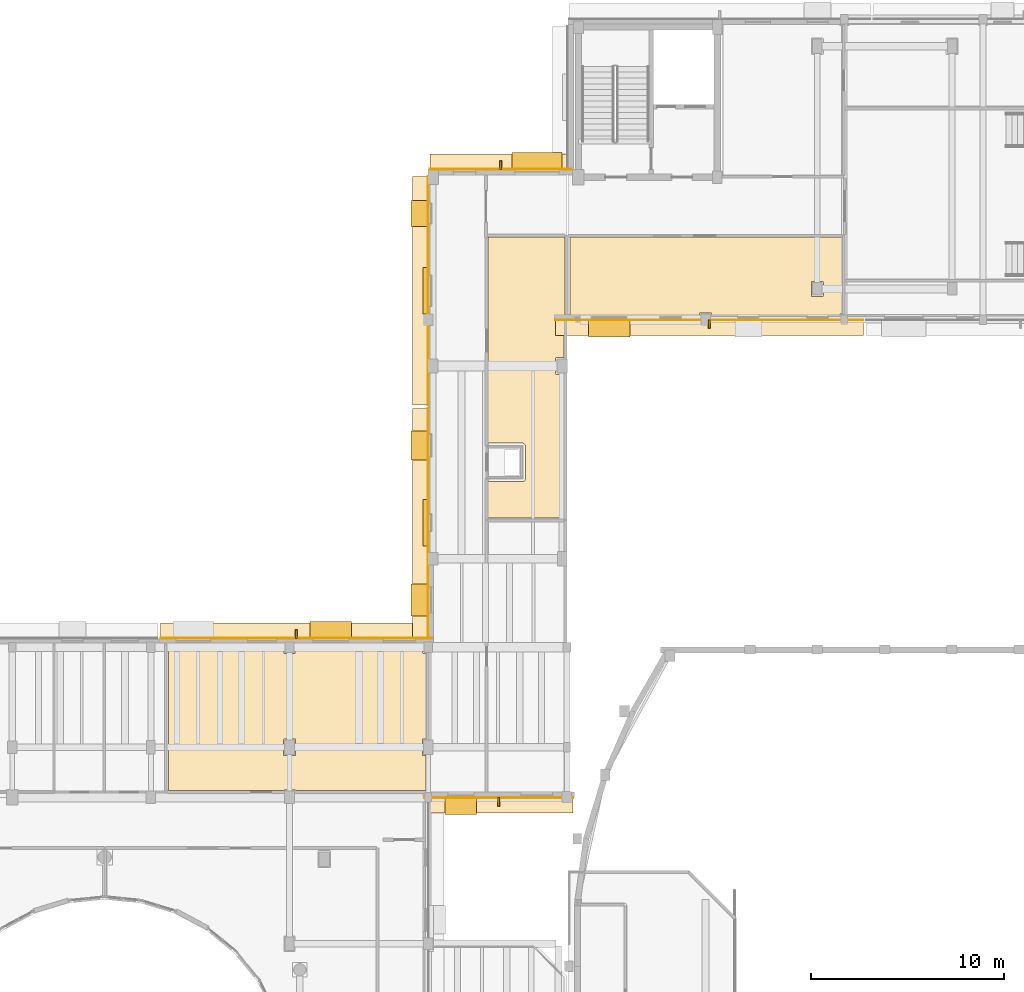
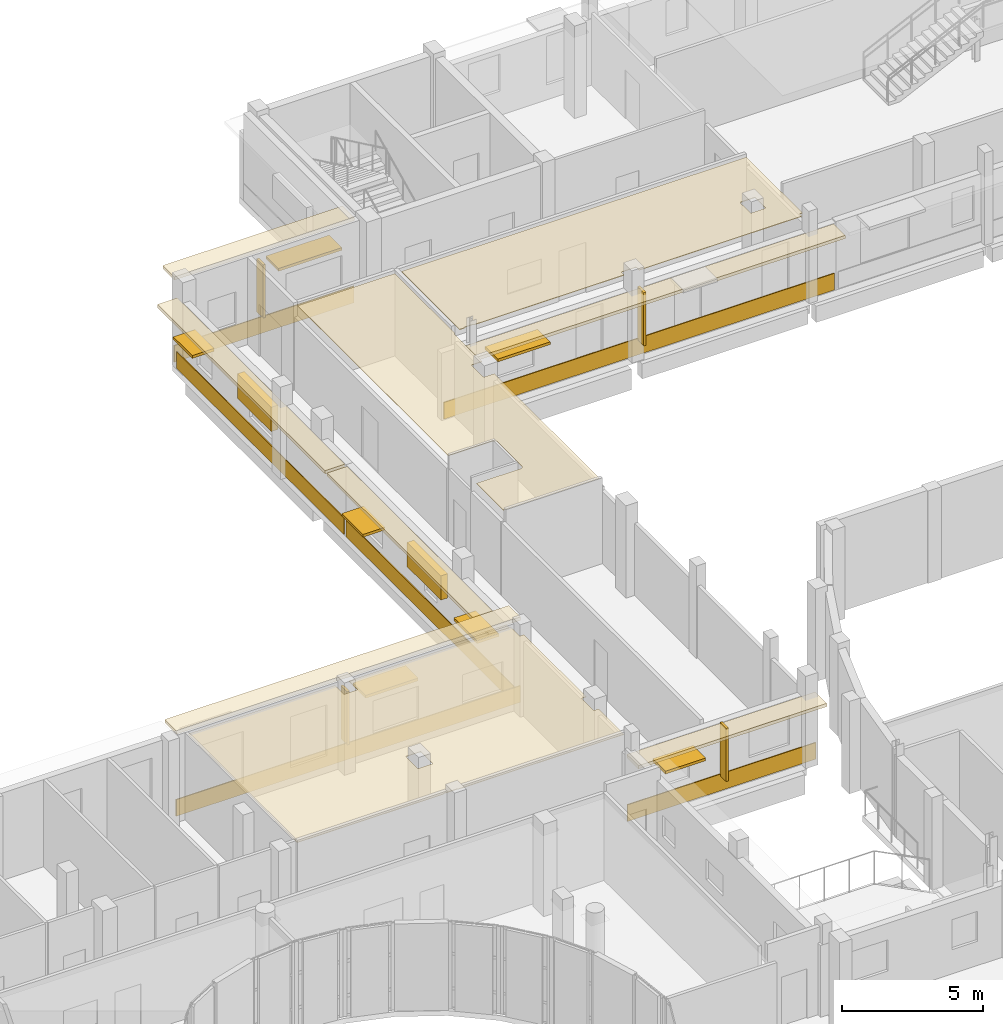
# One storey, part 88 of 92: 15 coverings, 13 shading devices.
"""IFC4 building model written with IfcOpenShell, lengths in metres."""

from ifc_helpers import new_model, si_unit, direction, frame, origin, origin_2d, place, context, subcontext, project, spatial, polyline, rectangle, outline, extrude, material, layer, layer_set, type_object, element, save


model = new_model("IFC4")

# Units and contexts
model_context = context("Model", 3, precision=1e-05, world=origin(), true_north=direction((0.0, 1.0)))
body_context = subcontext(model_context, "Body", "Model", "MODEL_VIEW")
ifc_project = project(units=[si_unit("LENGTHUNIT", "METRE"), si_unit("AREAUNIT", "SQUARE_METRE"), si_unit("VOLUMEUNIT", "CUBIC_METRE"), si_unit("PLANEANGLEUNIT", "RADIAN"), si_unit("MASSUNIT", "GRAM", prefix="KILO")], contexts=[model_context])

# Site, building, storey
site_placement = place(None, origin())
site = spatial("IfcSite", under=ifc_project, at=site_placement, CompositionType="ELEMENT")
building_placement = place(site_placement, origin())
building = spatial("IfcBuilding", under=site, at=building_placement, Name="Kelanivale Promenade Academy", CompositionType="ELEMENT")
storey_placement = place(building_placement, frame((0.0, 0.0, 8.199951171875)))
storey = spatial("IfcBuildingStorey", under=building, at=storey_placement, Name="L02", CompositionType="ELEMENT", Elevation=8.199951171875)

# Coverings
ifc_material_1 = material(Name="Warm ivory Art Deco stucco frieze band 40 mm", Category="masonry")
ifc_layer_1 = layer(ifc_material_1, 0.0400390625)
ifc_layer_set_1 = layer_set([ifc_layer_1], Name="Warm ivory Art Deco stucco frieze band 40 mm")
covering_type_1 = type_object("IfcCoveringType", Name="COV-CLD2 Warm ivory Art Deco stucco frieze ba", PredefinedType="CLADDING", material=ifc_layer_set_1)
covering_1_placement = place(storey_placement, frame((119.260009765625, 71.199951171875, 2.80517578125), z_axis=(0.0, 0.0, 1.0), x_axis=(1.0, 0.0, 0.0)))
element("IfcCovering", 1, at=covering_1_placement, inside=storey, type_object=covering_type_1, Name="Art Deco projecting 820 mm streamline sunshade eyebrow ledge", PredefinedType="CLADDING", context=body_context, shape_type="SweptSolid", body=[
    extrude(rectangle(XDim=7.719970703125, YDim=0.820068359375, at=origin_2d()), origin(), (0.0, 0.0, 1.0), 0.139892578125),
])
covering_2_placement = place(storey_placement, frame((119.260009765625, 71.5849609375, 0.06005859375), z_axis=(0.0, 0.0, 1.0), x_axis=(1.0, 0.0, 0.0)))
element("IfcCovering", 2, at=covering_2_placement, inside=storey, type_object=covering_type_1, Name="Art Deco ivory stucco sill frieze band", PredefinedType="CLADDING", context=body_context, shape_type="SweptSolid", body=[
    extrude(rectangle(XDim=7.719970703125, YDim=0.0400390625, at=origin_2d()), origin(), (0.0, 0.0, 1.0), 0.719970703125),
])
covering_3_placement = place(storey_placement, frame((130.197998046875, 96.0, 2.7548828125), z_axis=(0.0, 0.0, 1.0), x_axis=(1.0, 0.0, 0.0)))
element("IfcCovering", 3, at=covering_3_placement, inside=storey, type_object=covering_type_1, Name="Art Deco projecting 820 mm streamline sunshade eyebrow ledge", PredefinedType="CLADDING", context=body_context, shape_type="SweptSolid", body=[
    extrude(rectangle(XDim=15.99609375, YDim=0.820068359375, at=origin_2d()), origin(), (0.0, 0.0, 1.0), 0.139892578125),
])
covering_4_placement = place(storey_placement, frame((130.197998046875, 96.385009765625, 0.06005859375), z_axis=(0.0, 0.0, 1.0), x_axis=(1.0, 0.0, 0.0)))
element("IfcCovering", 4, at=covering_4_placement, inside=storey, type_object=covering_type_1, Name="Art Deco ivory stucco sill frieze band", PredefinedType="CLADDING", context=body_context, shape_type="SweptSolid", body=[
    extrude(rectangle(XDim=15.99609375, YDim=0.0400390625, at=origin_2d()), origin(), (0.0, 0.0, 1.0), 0.719970703125),
])
covering_5_placement = place(storey_placement, frame((119.364990234375, 104.60009765625, 3.6201171875), z_axis=(0.0, 0.0, 1.0), x_axis=(-1.0, 0.0, 0.0)))
element("IfcCovering", 5, at=covering_5_placement, inside=storey, type_object=covering_type_1, Name="Art Deco projecting 820 mm streamline sunshade eyebrow ledge", PredefinedType="CLADDING", context=body_context, shape_type="SweptSolid", body=[
    extrude(rectangle(XDim=7.3701171875, YDim=0.820068359375, at=origin_2d()), origin(), (0.0, 0.0, 1.0), 0.139892578125),
])
covering_6_placement = place(storey_placement, frame((119.364990234375, 104.215087890625, 0.06005859375), z_axis=(0.0, 0.0, 1.0), x_axis=(-1.0, 0.0, 0.0)))
element("IfcCovering", 6, at=covering_6_placement, inside=storey, type_object=covering_type_1, Name="Art Deco ivory stucco sill frieze band", PredefinedType="CLADDING", context=body_context, shape_type="SweptSolid", body=[
    extrude(rectangle(XDim=7.3701171875, YDim=0.0400390625, at=origin_2d()), origin(), (0.0, 0.0, 1.0), 0.719970703125),
])
covering_7_placement = place(storey_placement, frame((115.199951171875, 97.903076171875, 2.955078125), z_axis=(0.0, 0.0, 1.0), x_axis=(0.0, -1.0, 0.0)))
element("IfcCovering", 7, at=covering_7_placement, inside=storey, type_object=covering_type_1, Name="Art Deco projecting 820 mm streamline sunshade eyebrow ledge", PredefinedType="CLADDING", context=body_context, shape_type="SweptSolid", body=[
    extrude(rectangle(XDim=11.875, YDim=0.820068359375, at=origin_2d()), origin(), (0.0, 0.0, 1.0), 0.139892578125),
])
covering_8_placement = place(storey_placement, frame((115.5849609375, 97.903076171875, 0.06005859375), z_axis=(0.0, 0.0, 1.0), x_axis=(0.0, -1.0, 0.0)))
element("IfcCovering", 8, at=covering_8_placement, inside=storey, type_object=covering_type_1, Name="Art Deco ivory stucco sill frieze band", PredefinedType="CLADDING", context=body_context, shape_type="SweptSolid", body=[
    extrude(rectangle(XDim=11.875, YDim=0.0400390625, at=origin_2d()), origin(), (0.0, 0.0, 1.0), 0.719970703125),
])
covering_9_placement = place(storey_placement, frame((115.199951171875, 85.867919921875, 2.955078125), z_axis=(0.0, 0.0, 1.0), x_axis=(0.0, -1.0, 0.0)))
element("IfcCovering", 9, at=covering_9_placement, inside=storey, type_object=covering_type_1, Name="Art Deco projecting 820 mm streamline sunshade eyebrow ledge", PredefinedType="CLADDING", context=body_context, shape_type="SweptSolid", body=[
    extrude(rectangle(XDim=11.875, YDim=0.820068359375, at=origin_2d()), origin(), (0.0, 0.0, 1.0), 0.139892578125),
])
covering_10_placement = place(storey_placement, frame((115.5849609375, 85.867919921875, 0.06005859375), z_axis=(0.0, 0.0, 1.0), x_axis=(0.0, -1.0, 0.0)))
element("IfcCovering", 10, at=covering_10_placement, inside=storey, type_object=covering_type_1, Name="Art Deco ivory stucco sill frieze band", PredefinedType="CLADDING", context=body_context, shape_type="SweptSolid", body=[
    extrude(rectangle(XDim=11.875, YDim=0.0400390625, at=origin_2d()), origin(), (0.0, 0.0, 1.0), 0.719970703125),
])
covering_11_placement = place(storey_placement, frame((108.7509765625, 80.25, 3.6201171875), z_axis=(0.0, 0.0, 1.0), x_axis=(-1.0, 0.0, 0.0)))
element("IfcCovering", 11, at=covering_11_placement, inside=storey, type_object=covering_type_1, Name="Art Deco projecting 820 mm streamline sunshade eyebrow ledge", PredefinedType="CLADDING", context=body_context, shape_type="SweptSolid", body=[
    extrude(rectangle(XDim=14.096923828125, YDim=0.820068359375, at=origin_2d()), origin(), (0.0, 0.0, 1.0), 0.139892578125),
])
covering_12_placement = place(storey_placement, frame((108.7509765625, 79.864990234375, 0.06005859375), z_axis=(0.0, 0.0, 1.0), x_axis=(-1.0, 0.0, 0.0)))
element("IfcCovering", 12, at=covering_12_placement, inside=storey, type_object=covering_type_1, Name="Art Deco ivory stucco sill frieze band", PredefinedType="CLADDING", context=body_context, shape_type="SweptSolid", body=[
    extrude(rectangle(XDim=14.096923828125, YDim=0.0400390625, at=origin_2d()), origin(), (0.0, 0.0, 1.0), 0.719970703125),
])
ifc_material_2 = material(Name="Acoustic mineral-fibre ceiling tile 25 mm", Category="gypsum")
ifc_layer_2 = layer(ifc_material_2, 0.02490234375)
ifc_layer_set_2 = layer_set([ifc_layer_2], Name="Acoustic mineral-fibre ceiling tile 25 mm")
covering_type_2 = type_object("IfcCoveringType", Name="COV-CLG1 Acoustic mineral-fibre ceiling tile ", PredefinedType="CEILING", material=ifc_layer_set_2)
covering_13_placement = place(storey_placement, frame((0.0, 0.0, 3.550048828125)))
element("IfcCovering", 13, at=covering_13_placement, inside=storey, type_object=covering_type_2, Name="Secondary Classroom North East acoustic suspended ceiling", PredefinedType="CEILING", context=body_context, shape_type="SweptSolid", body=[
    extrude(outline(polyline([(102.110107421875, 79.699951171875), (102.110107421875, 71.9599609375), (108.093017578125, 71.9599609375), (108.093017578125, 71.9599609375), (108.094970703125, 71.964111328125), (108.096923828125, 71.967041015625), (108.09912109375, 71.969970703125), (108.10205078125, 71.972900390625), (108.10498046875, 71.97607421875), (108.10791015625, 71.97802734375), (108.111083984375, 71.97998046875), (108.114990234375, 71.98193359375), (108.117919921875, 71.98291015625), (108.1220703125, 71.98388671875), (108.1259765625, 71.985107421875), (108.1298828125, 71.985107421875), (108.669921875, 71.985107421875), (108.674072265625, 71.985107421875), (108.677978515625, 71.98388671875), (108.681884765625, 71.98291015625), (108.68505859375, 71.98193359375), (108.68896484375, 71.97998046875), (108.69189453125, 71.97802734375), (108.695068359375, 71.97607421875), (108.697998046875, 71.972900390625), (108.700927734375, 71.969970703125), (108.702880859375, 71.967041015625), (108.705078125, 71.964111328125), (108.70703125, 71.9599609375), (108.70703125, 71.9599609375), (115.489990234375, 71.9599609375), (115.489990234375, 73.764892578125), (115.330078125, 73.764892578125), (115.325927734375, 73.764892578125), (115.322021484375, 73.76611328125), (115.318115234375, 73.76708984375), (115.31494140625, 73.76806640625), (115.31103515625, 73.77001953125), (115.30810546875, 73.77197265625), (115.304931640625, 73.77392578125), (115.302001953125, 73.777099609375), (115.299072265625, 73.780029296875), (115.297119140625, 73.782958984375), (115.294921875, 73.785888671875), (115.29296875, 73.7900390625), (115.2919921875, 73.79296875), (115.291015625, 73.797119140625), (115.2900390625, 73.801025390625), (115.2900390625, 73.804931640625), (115.2900390625, 74.594970703125), (115.2900390625, 74.59912109375), (115.291015625, 74.60302734375), (115.2919921875, 74.60693359375), (115.29296875, 74.610107421875), (115.294921875, 74.614013671875), (115.297119140625, 74.616943359375), (115.299072265625, 74.6201171875), (115.302001953125, 74.623046875), (115.304931640625, 74.6259765625), (115.30810546875, 74.6279296875), (115.31103515625, 74.6298828125), (115.31494140625, 74.632080078125), (115.318115234375, 74.633056640625), (115.322021484375, 74.634033203125), (115.325927734375, 74.635009765625), (115.330078125, 74.635009765625), (115.489990234375, 74.635009765625), (115.489990234375, 79.06494140625), (115.35498046875, 79.06494140625), (115.35107421875, 79.06494140625), (115.346923828125, 79.06591796875), (115.343017578125, 79.06689453125), (115.340087890625, 79.068115234375), (115.3359375, 79.070068359375), (115.3330078125, 79.072021484375), (115.330078125, 79.073974609375), (115.326904296875, 79.076904296875), (115.323974609375, 79.080078125), (115.322021484375, 79.0830078125), (115.320068359375, 79.0859375), (115.318115234375, 79.090087890625), (115.31689453125, 79.093017578125), (115.31591796875, 79.096923828125), (115.31494140625, 79.10107421875), (115.31494140625, 79.10498046875), (115.31494140625, 79.695068359375), (115.31494140625, 79.698974609375), (115.31494140625, 79.699951171875), (108.68505859375, 79.699951171875), (108.68505859375, 79.698974609375), (108.68505859375, 79.695068359375), (108.68505859375, 79.10498046875), (108.68505859375, 79.10107421875), (108.68408203125, 79.096923828125), (108.68310546875, 79.093017578125), (108.681884765625, 79.090087890625), (108.679931640625, 79.0859375), (108.677978515625, 79.0830078125), (108.676025390625, 79.080078125), (108.673095703125, 79.076904296875), (108.669921875, 79.073974609375), (108.6669921875, 79.072021484375), (108.6640625, 79.070068359375), (108.659912109375, 79.068115234375), (108.656982421875, 79.06689453125), (108.653076171875, 79.06591796875), (108.64892578125, 79.06494140625), (108.64501953125, 79.06494140625), (108.155029296875, 79.06494140625), (108.15087890625, 79.06494140625), (108.14697265625, 79.06591796875), (108.14306640625, 79.06689453125), (108.139892578125, 79.068115234375), (108.135986328125, 79.070068359375), (108.133056640625, 79.072021484375), (108.1298828125, 79.073974609375), (108.126953125, 79.076904296875), (108.1240234375, 79.080078125), (108.1220703125, 79.0830078125), (108.1201171875, 79.0859375), (108.117919921875, 79.090087890625), (108.116943359375, 79.093017578125), (108.115966796875, 79.096923828125), (108.114990234375, 79.10107421875), (108.114990234375, 79.10498046875), (108.114990234375, 79.695068359375), (108.114990234375, 79.698974609375), (108.114990234375, 79.699951171875), (102.110107421875, 79.699951171875)]), holes=[polyline([(108.7099609375, 73.804931640625), (108.7099609375, 73.801025390625), (108.708984375, 73.797119140625), (108.7080078125, 73.79296875), (108.70703125, 73.7900390625), (108.705078125, 73.785888671875), (108.702880859375, 73.782958984375), (108.700927734375, 73.780029296875), (108.697998046875, 73.777099609375), (108.695068359375, 73.77392578125), (108.69189453125, 73.77197265625), (108.68896484375, 73.77001953125), (108.68505859375, 73.76806640625), (108.681884765625, 73.76708984375), (108.677978515625, 73.76611328125), (108.674072265625, 73.764892578125), (108.669921875, 73.764892578125), (108.1298828125, 73.764892578125), (108.1259765625, 73.764892578125), (108.1220703125, 73.76611328125), (108.117919921875, 73.76708984375), (108.114990234375, 73.76806640625), (108.111083984375, 73.77001953125), (108.10791015625, 73.77197265625), (108.10498046875, 73.77392578125), (108.10205078125, 73.777099609375), (108.09912109375, 73.780029296875), (108.096923828125, 73.782958984375), (108.094970703125, 73.785888671875), (108.093017578125, 73.7900390625), (108.092041015625, 73.79296875), (108.091064453125, 73.797119140625), (108.090087890625, 73.801025390625), (108.090087890625, 73.804931640625), (108.090087890625, 74.594970703125), (108.090087890625, 74.59912109375), (108.091064453125, 74.60302734375), (108.092041015625, 74.60693359375), (108.093017578125, 74.610107421875), (108.094970703125, 74.614013671875), (108.096923828125, 74.616943359375), (108.09912109375, 74.6201171875), (108.10205078125, 74.623046875), (108.10498046875, 74.6259765625), (108.10791015625, 74.6279296875), (108.111083984375, 74.6298828125), (108.114990234375, 74.632080078125), (108.117919921875, 74.633056640625), (108.1220703125, 74.634033203125), (108.1259765625, 74.635009765625), (108.1298828125, 74.635009765625), (108.669921875, 74.635009765625), (108.674072265625, 74.635009765625), (108.677978515625, 74.634033203125), (108.681884765625, 74.633056640625), (108.68505859375, 74.632080078125), (108.68896484375, 74.6298828125), (108.69189453125, 74.6279296875), (108.695068359375, 74.6259765625), (108.697998046875, 74.623046875), (108.700927734375, 74.6201171875), (108.702880859375, 74.616943359375), (108.705078125, 74.614013671875), (108.70703125, 74.610107421875), (108.7080078125, 74.60693359375), (108.708984375, 74.60302734375), (108.7099609375, 74.59912109375), (108.7099609375, 74.594970703125), (108.7099609375, 73.804931640625)])]), origin(), (0.0, 0.0, 1.0), 0.02490234375),
])
covering_14_placement = place(storey_placement, frame((0.0, 0.0, 3.550048828125)))
element("IfcCovering", 14, at=covering_14_placement, inside=storey, type_object=covering_type_2, Name="Laboratory Instrument Studio acoustic suspended ceiling", PredefinedType="CEILING", context=body_context, shape_type="SweptSolid", body=[
    extrude(outline(polyline([(122.6640625, 96.423095703125), (122.666015625, 96.428955078125), (122.6708984375, 96.43994140625), (122.675048828125, 96.447998046875), (122.680908203125, 96.4580078125), (122.68701171875, 96.466064453125), (122.68994140625, 96.469970703125), (122.68994140625, 100.68994140625), (118.7099609375, 100.68994140625), (118.7099609375, 89.989990234375), (120.506103515625, 89.989990234375), (120.512939453125, 89.989990234375), (120.51904296875, 89.989013671875), (120.52490234375, 89.988037109375), (120.533935546875, 89.986083984375), (120.5419921875, 89.98291015625), (120.544921875, 89.98193359375), (120.548095703125, 89.98095703125), (120.552978515625, 89.97900390625), (120.55810546875, 89.97705078125), (120.56396484375, 89.97509765625), (120.569091796875, 89.971923828125), (120.573974609375, 89.968994140625), (120.5830078125, 89.9619140625), (120.587890625, 89.9580078125), (120.594970703125, 89.952880859375), (120.59912109375, 89.948974609375), (120.60302734375, 89.945068359375), (120.60791015625, 89.93798828125), (120.612060546875, 89.93310546875), (120.618896484375, 89.924072265625), (120.6220703125, 89.9189453125), (120.625, 89.9140625), (120.626953125, 89.907958984375), (120.62890625, 89.903076171875), (120.631103515625, 89.89794921875), (120.632080078125, 89.89501953125), (120.633056640625, 89.89208984375), (120.635986328125, 89.884033203125), (120.637939453125, 89.875), (120.638916015625, 89.868896484375), (120.639892578125, 89.863037109375), (120.639892578125, 89.85595703125), (120.639892578125, 88.14404296875), (120.639892578125, 88.136962890625), (120.638916015625, 88.131103515625), (120.637939453125, 88.125), (120.635986328125, 88.115966796875), (120.633056640625, 88.10791015625), (120.632080078125, 88.10498046875), (120.631103515625, 88.10205078125), (120.62890625, 88.096923828125), (120.626953125, 88.092041015625), (120.625, 88.0859375), (120.6220703125, 88.0810546875), (120.618896484375, 88.075927734375), (120.612060546875, 88.06689453125), (120.60791015625, 88.06201171875), (120.60302734375, 88.054931640625), (120.59912109375, 88.051025390625), (120.594970703125, 88.047119140625), (120.587890625, 88.0419921875), (120.5830078125, 88.0380859375), (120.573974609375, 88.031005859375), (120.569091796875, 88.028076171875), (120.56396484375, 88.02490234375), (120.55810546875, 88.02294921875), (120.552978515625, 88.02099609375), (120.548095703125, 88.01904296875), (120.544921875, 88.01806640625), (120.5419921875, 88.01708984375), (120.533935546875, 88.013916015625), (120.52490234375, 88.011962890625), (120.51904296875, 88.010986328125), (120.512939453125, 88.010009765625), (120.506103515625, 88.010009765625), (118.7099609375, 88.010009765625), (118.7099609375, 86.110107421875), (122.64990234375, 86.110107421875), (122.64990234375, 93.56494140625), (122.2548828125, 93.56494140625), (122.2509765625, 93.56494140625), (122.2470703125, 93.56591796875), (122.242919921875, 93.56689453125), (122.239990234375, 93.568115234375), (122.236083984375, 93.570068359375), (122.23291015625, 93.572021484375), (122.22998046875, 93.573974609375), (122.22705078125, 93.576904296875), (122.22412109375, 93.580078125), (122.221923828125, 93.5830078125), (122.219970703125, 93.5859375), (122.218017578125, 93.590087890625), (122.217041015625, 93.593017578125), (122.216064453125, 93.596923828125), (122.215087890625, 93.60107421875), (122.215087890625, 93.60498046875), (122.215087890625, 94.39501953125), (122.215087890625, 94.39892578125), (122.216064453125, 94.403076171875), (122.217041015625, 94.406982421875), (122.218017578125, 94.409912109375), (122.219970703125, 94.4140625), (122.221923828125, 94.4169921875), (122.22412109375, 94.419921875), (122.22705078125, 94.423095703125), (122.22998046875, 94.426025390625), (122.23291015625, 94.427978515625), (122.236083984375, 94.429931640625), (122.239990234375, 94.431884765625), (122.242919921875, 94.43310546875), (122.2470703125, 94.43408203125), (122.2509765625, 94.43505859375), (122.2548828125, 94.43505859375), (122.64990234375, 94.43505859375), (122.64990234375, 96.35009765625), (122.64990234375, 96.35693359375), (122.65087890625, 96.368896484375), (122.65087890625, 96.368896484375), (122.652099609375, 96.3798828125), (122.653076171875, 96.385986328125), (122.654052734375, 96.39208984375), (122.656982421875, 96.404052734375), (122.659912109375, 96.412109375), (122.6640625, 96.423095703125)])), origin(), (0.0, 0.0, 1.0), 0.02490234375),
])
covering_15_placement = place(storey_placement, frame((0.0, 0.0, 3.550048828125)))
element("IfcCovering", 15, at=covering_15_placement, inside=storey, type_object=covering_type_2, Name="Library Book Stacks acoustic suspended ceiling", PredefinedType="CEILING", context=body_context, shape_type="SweptSolid", body=[
    extrude(outline(polyline([(136.965087890625, 96.550048828125), (136.965087890625, 96.669921875), (136.965087890625, 96.674072265625), (136.966064453125, 96.677978515625), (136.967041015625, 96.681884765625), (136.968017578125, 96.68505859375), (136.969970703125, 96.68896484375), (136.971923828125, 96.69189453125), (136.97412109375, 96.695068359375), (136.97705078125, 96.697998046875), (136.97998046875, 96.700927734375), (136.98291015625, 96.702880859375), (136.986083984375, 96.705078125), (136.989990234375, 96.70703125), (136.992919921875, 96.7080078125), (136.9970703125, 96.708984375), (137.0009765625, 96.7099609375), (137.0048828125, 96.7099609375), (137.090087890625, 96.7099609375), (137.090087890625, 100.68994140625), (122.9599609375, 100.68994140625), (122.9599609375, 96.550048828125), (123.1630859375, 96.550048828125), (123.1630859375, 96.551025390625), (123.1630859375, 96.554931640625), (123.1640625, 96.55908203125), (123.166015625, 96.56201171875), (123.1669921875, 96.56591796875), (123.1689453125, 96.569091796875), (123.172119140625, 96.572021484375), (123.174072265625, 96.574951171875), (123.177001953125, 96.577880859375), (123.179931640625, 96.580078125), (123.18408203125, 96.58203125), (123.18701171875, 96.583984375), (123.19091796875, 96.5849609375), (123.195068359375, 96.5859375), (123.198974609375, 96.5869140625), (123.202880859375, 96.5869140625), (123.4970703125, 96.5869140625), (123.5009765625, 96.5869140625), (123.5048828125, 96.5859375), (123.509033203125, 96.5849609375), (123.512939453125, 96.583984375), (123.51611328125, 96.58203125), (123.52001953125, 96.580078125), (123.52294921875, 96.577880859375), (123.52587890625, 96.574951171875), (123.528076171875, 96.572021484375), (123.531005859375, 96.569091796875), (123.532958984375, 96.56591796875), (123.533935546875, 96.56201171875), (123.535888671875, 96.55908203125), (123.537109375, 96.554931640625), (123.537109375, 96.551025390625), (123.537109375, 96.550048828125), (129.68994140625, 96.550048828125), (129.68994140625, 96.719970703125), (129.68994140625, 96.72412109375), (129.69091796875, 96.72802734375), (129.69189453125, 96.73193359375), (129.693115234375, 96.735107421875), (129.695068359375, 96.739013671875), (129.697021484375, 96.741943359375), (129.698974609375, 96.7451171875), (129.701904296875, 96.748046875), (129.705078125, 96.7509765625), (129.7080078125, 96.7529296875), (129.7109375, 96.7548828125), (129.715087890625, 96.757080078125), (129.718017578125, 96.758056640625), (129.721923828125, 96.759033203125), (129.72607421875, 96.760009765625), (129.72998046875, 96.760009765625), (130.27001953125, 96.760009765625), (130.27392578125, 96.760009765625), (130.278076171875, 96.759033203125), (130.281982421875, 96.758056640625), (130.284912109375, 96.757080078125), (130.2890625, 96.7548828125), (130.2919921875, 96.7529296875), (130.294921875, 96.7509765625), (130.298095703125, 96.748046875), (130.301025390625, 96.7451171875), (130.302978515625, 96.741943359375), (130.304931640625, 96.739013671875), (130.306884765625, 96.735107421875), (130.30810546875, 96.73193359375), (130.30908203125, 96.72802734375), (130.31005859375, 96.72412109375), (130.31005859375, 96.719970703125), (130.31005859375, 96.550048828125), (136.965087890625, 96.550048828125)]), holes=[polyline([(136.110107421875, 97.655029296875), (136.110107421875, 97.65087890625), (136.10888671875, 97.64697265625), (136.10791015625, 97.64306640625), (136.10693359375, 97.639892578125), (136.10498046875, 97.635986328125), (136.10302734375, 97.633056640625), (136.10107421875, 97.6298828125), (136.097900390625, 97.626953125), (136.094970703125, 97.6240234375), (136.092041015625, 97.6220703125), (136.089111328125, 97.6201171875), (136.0849609375, 97.617919921875), (136.08203125, 97.616943359375), (136.077880859375, 97.615966796875), (136.073974609375, 97.614990234375), (136.070068359375, 97.614990234375), (135.530029296875, 97.614990234375), (135.52587890625, 97.614990234375), (135.52197265625, 97.615966796875), (135.51806640625, 97.616943359375), (135.514892578125, 97.617919921875), (135.510986328125, 97.6201171875), (135.508056640625, 97.6220703125), (135.5048828125, 97.6240234375), (135.501953125, 97.626953125), (135.4990234375, 97.6298828125), (135.4970703125, 97.633056640625), (135.4951171875, 97.635986328125), (135.492919921875, 97.639892578125), (135.491943359375, 97.64306640625), (135.490966796875, 97.64697265625), (135.489990234375, 97.65087890625), (135.489990234375, 97.655029296875), (135.489990234375, 98.344970703125), (135.489990234375, 98.34912109375), (135.490966796875, 98.35302734375), (135.491943359375, 98.35693359375), (135.492919921875, 98.360107421875), (135.4951171875, 98.364013671875), (135.4970703125, 98.366943359375), (135.4990234375, 98.3701171875), (135.501953125, 98.373046875), (135.5048828125, 98.3759765625), (135.508056640625, 98.3779296875), (135.510986328125, 98.3798828125), (135.514892578125, 98.382080078125), (135.51806640625, 98.383056640625), (135.52197265625, 98.384033203125), (135.52587890625, 98.385009765625), (135.530029296875, 98.385009765625), (136.070068359375, 98.385009765625), (136.073974609375, 98.385009765625), (136.077880859375, 98.384033203125), (136.08203125, 98.383056640625), (136.0849609375, 98.382080078125), (136.089111328125, 98.3798828125), (136.092041015625, 98.3779296875), (136.094970703125, 98.3759765625), (136.097900390625, 98.373046875), (136.10107421875, 98.3701171875), (136.10302734375, 98.366943359375), (136.10498046875, 98.364013671875), (136.10693359375, 98.360107421875), (136.10791015625, 98.35693359375), (136.10888671875, 98.35302734375), (136.110107421875, 98.34912109375), (136.110107421875, 98.344970703125), (136.110107421875, 97.655029296875)])]), origin(), (0.0, 0.0, 1.0), 0.02490234375),
])

# Shading devices
ifc_material_3 = material(Name="Precast concrete C40/50", Category="concrete")
ifc_layer_3 = layer(ifc_material_3, 0.1201171875)
ifc_layer_set_3 = layer_set([ifc_layer_3], Name="Precast concrete C40/50")
shading_device_type_1 = type_object("IfcShadingDeviceType", Name="SHD-01 Art Deco Sunshade Eyebrow 900mm", PredefinedType="USERDEFINED", material=ifc_layer_set_3)
shading_device_1_placement = place(storey_placement, frame((117.2900390625, 71.159912109375, 2.260009765625), z_axis=(0.0, 0.0, 1.0), x_axis=(1.0, 0.0, 0.0)))
element("IfcShadingDevice", 16, at=shading_device_1_placement, inside=storey, type_object=shading_device_type_1, Name="Art Deco 900 mm precast chajja window sunshade", ObjectType="SUNSHADE", PredefinedType="USERDEFINED", context=body_context, shape_type="SweptSolid", body=[
    extrude(rectangle(XDim=1.64990234375, YDim=0.89990234375, at=origin_2d()), origin(), (0.0, 0.0, 1.0), 0.1201171875),
])
shading_device_2_placement = place(storey_placement, frame((124.989990234375, 95.9599609375, 2.4599609375), z_axis=(0.0, 0.0, 1.0), x_axis=(1.0, 0.0, 0.0)))
element("IfcShadingDevice", 17, at=shading_device_2_placement, inside=storey, type_object=shading_device_type_1, Name="Art Deco 900 mm precast chajja window sunshade", ObjectType="SUNSHADE", PredefinedType="USERDEFINED", context=body_context, shape_type="SweptSolid", body=[
    extrude(rectangle(XDim=2.14990234375, YDim=0.89990234375, at=origin_2d()), origin(), (0.0, 0.0, 1.0), 0.1201171875),
])
shading_device_3_placement = place(storey_placement, frame((121.2470703125, 104.639892578125, 2.510009765625), z_axis=(0.0, 0.0, 1.0), x_axis=(-1.0, 0.0, 0.0)))
element("IfcShadingDevice", 18, at=shading_device_3_placement, inside=storey, type_object=shading_device_type_1, Name="Art Deco 900 mm precast chajja window sunshade", ObjectType="SUNSHADE", PredefinedType="USERDEFINED", context=body_context, shape_type="SweptSolid", body=[
    extrude(rectangle(XDim=2.60009765625, YDim=0.89990234375, at=origin_2d()), origin(), (0.0, 0.0, 1.0), 0.1201171875),
])
shading_device_4_placement = place(storey_placement, frame((115.159912109375, 101.9140625, 2.360107421875), z_axis=(0.0, 0.0, 1.0), x_axis=(0.0, -1.0, 0.0)))
element("IfcShadingDevice", 19, at=shading_device_4_placement, inside=storey, type_object=shading_device_type_1, Name="Art Deco 900 mm precast chajja window sunshade", ObjectType="SUNSHADE", PredefinedType="USERDEFINED", context=body_context, shape_type="SweptSolid", body=[
    extrude(rectangle(XDim=1.35009765625, YDim=0.89990234375, at=origin_2d()), origin(), (0.0, 0.0, 1.0), 0.1201171875),
])
shading_device_5_placement = place(storey_placement, frame((115.159912109375, 89.87890625, 1.9599609375), z_axis=(0.0, 0.0, 1.0), x_axis=(0.0, -1.0, 0.0)))
element("IfcShadingDevice", 20, at=shading_device_5_placement, inside=storey, type_object=shading_device_type_1, Name="Art Deco 900 mm precast chajja window sunshade", ObjectType="SUNSHADE", PredefinedType="USERDEFINED", context=body_context, shape_type="SweptSolid", body=[
    extrude(rectangle(XDim=1.5, YDim=0.89990234375, at=origin_2d()), origin(), (0.0, 0.0, 1.0), 0.1201171875),
])
shading_device_6_placement = place(storey_placement, frame((115.159912109375, 81.85595703125, 2.260009765625), z_axis=(0.0, 0.0, 1.0), x_axis=(0.0, -1.0, 0.0)))
element("IfcShadingDevice", 21, at=shading_device_6_placement, inside=storey, type_object=shading_device_type_1, Name="Art Deco 900 mm precast chajja window sunshade", ObjectType="SUNSHADE", PredefinedType="USERDEFINED", context=body_context, shape_type="SweptSolid", body=[
    extrude(rectangle(XDim=1.64990234375, YDim=0.89990234375, at=origin_2d()), origin(), (0.0, 0.0, 1.0), 0.1201171875),
])
shading_device_7_placement = place(storey_placement, frame((110.533935546875, 80.2900390625, 2.4599609375), z_axis=(0.0, 0.0, 1.0), x_axis=(-1.0, 0.0, 0.0)))
element("IfcShadingDevice", 22, at=shading_device_7_placement, inside=storey, type_object=shading_device_type_1, Name="Art Deco 900 mm precast chajja window sunshade", ObjectType="SUNSHADE", PredefinedType="USERDEFINED", context=body_context, shape_type="SweptSolid", body=[
    extrude(rectangle(XDim=2.14990234375, YDim=0.89990234375, at=origin_2d()), origin(), (0.0, 0.0, 1.0), 0.1201171875),
])
ifc_material_4 = material(Name="Bronze anodised aluminium EN AW-6063 T6", Category="aluminium")
ifc_layer_4 = layer(ifc_material_4, 0.080078125)
ifc_layer_set_4 = layer_set([ifc_layer_4], Name="Bronze anodised aluminium EN AW-6063 T6")
shading_device_type_2 = type_object("IfcShadingDeviceType", Name="SHD-02 Perforated Brise-Soleil Screen", PredefinedType="JALOUSIE", material=ifc_layer_set_4)
for number, where, z_axis, x_axis, name in (
    (23, (115.465087890625, 97.903076171875, 1.72509765625), (0.0, 0.0, 1.0), (0.0, -1.0, 0.0), "Perforated Art Deco brise-soleil louvre screen"),
    (24, (115.465087890625, 85.867919921875, 1.72509765625), (0.0, 0.0, 1.0), (0.0, -1.0, 0.0), "Perforated Art Deco brise-soleil louvre screen"),
):
    element("IfcShadingDevice", number, at=place(storey_placement, frame(where, z_axis=z_axis, x_axis=x_axis)), inside=storey, type_object=shading_device_type_2, Name=name, PredefinedType="JALOUSIE", context=body_context, shape_type="SweptSolid", body=[
        extrude(rectangle(XDim=2.39990234375, YDim=0.280029296875, at=origin_2d()), origin(), (0.0, 0.0, 1.0), 1.050048828125),
    ])
ifc_layer_5 = layer(ifc_material_4, 0.10009765625)
ifc_layer_set_5 = layer_set([ifc_layer_5], Name="Bronze anodised aluminium EN AW-6063 T6")
shading_device_type_3 = type_object("IfcShadingDeviceType", Name="SHD-03 Vertical Fluted Solar Fin", PredefinedType="USERDEFINED", material=ifc_layer_set_5)
for number, where, z_axis, x_axis, name in (
    (25, (119.260009765625, 71.3798828125, 0.7001953125), (0.0, 0.0, 1.0), (1.0, 0.0, 0.0), "Vertical fluted Art Deco solar fin"),
    (26, (130.197998046875, 96.179931640625, 0.7001953125), (0.0, 0.0, 1.0), (1.0, 0.0, 0.0), "Vertical fluted Art Deco solar fin"),
    (27, (119.364990234375, 104.419921875, 0.7001953125), (0.0, 0.0, 1.0), (-1.0, 0.0, 0.0), "Vertical fluted Art Deco solar fin"),
    (28, (108.7509765625, 80.070068359375, 0.7001953125), (0.0, 0.0, 1.0), (-1.0, 0.0, 0.0), "Vertical fluted Art Deco solar fin"),
):
    element("IfcShadingDevice", number, at=place(storey_placement, frame(where, z_axis=z_axis, x_axis=x_axis)), inside=storey, type_object=shading_device_type_3, Name=name, ObjectType="SOLAR FIN", PredefinedType="USERDEFINED", context=body_context, shape_type="SweptSolid", body=[
        extrude(rectangle(XDim=0.10009765625, YDim=0.449951171875, at=origin_2d()), origin(), (0.0, 0.0, 1.0), 2.300048828125),
    ])

save(model, "model.ifc")
